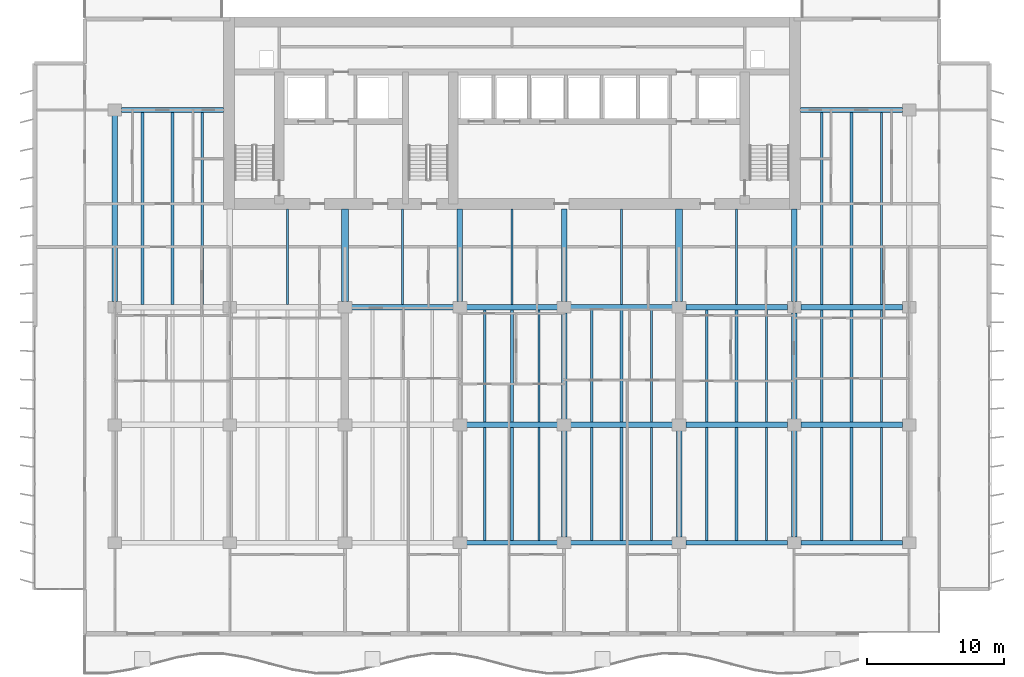
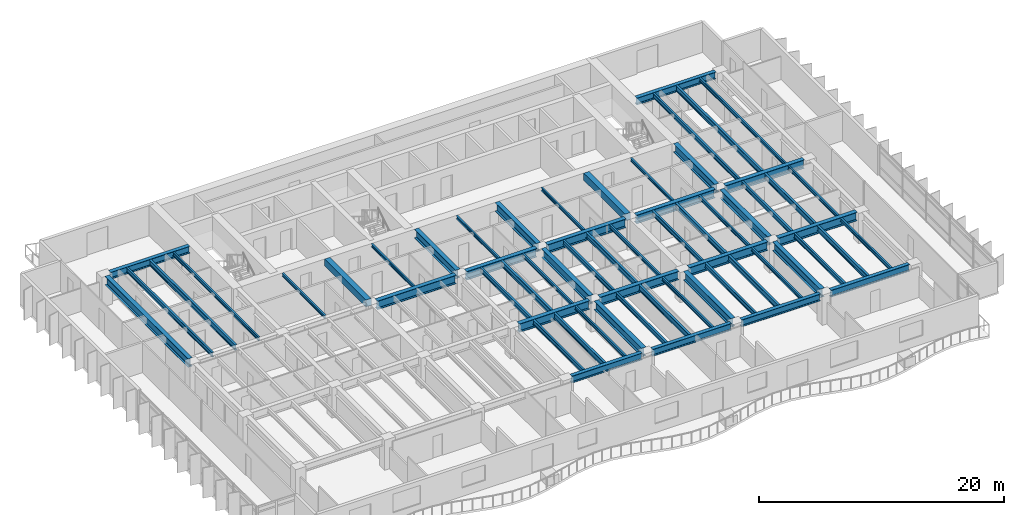
# One storey, part 3 of 19: 61 beams.
"""IFC4 building model written with IfcOpenShell, lengths in metres."""

from ifc_helpers import new_model, si_unit, direction, frame, origin, origin_2d, place, context, subcontext, project, spatial, rectangle, i_section, extrude, material, material_profile, profile_set, type_object, element, save


model = new_model("IFC4")

# Units and contexts
model_context = context("Model", 3, precision=1e-05, world=origin(), true_north=direction((0.0, 1.0)))
body_context = subcontext(model_context, "Body", "Model", "MODEL_VIEW")
ifc_project = project(units=[si_unit("LENGTHUNIT", "METRE"), si_unit("AREAUNIT", "SQUARE_METRE"), si_unit("VOLUMEUNIT", "CUBIC_METRE"), si_unit("PLANEANGLEUNIT", "RADIAN"), si_unit("MASSUNIT", "GRAM", prefix="KILO")], contexts=[model_context])

# Site, building, storey
site_placement = place(None, origin())
site = spatial("IfcSite", under=ifc_project, at=site_placement, CompositionType="ELEMENT")
building_placement = place(site_placement, origin())
building = spatial("IfcBuilding", under=site, at=building_placement, Name="Caelmar Bay Residences", CompositionType="ELEMENT")
storey_placement = place(building_placement, frame((0.0, 0.0, 94.5)))
storey = spatial("IfcBuildingStorey", under=building, at=storey_placement, Name="L25", CompositionType="ELEMENT", Elevation=94.5)

# Beams
ifc_material_1 = material(Name="Steel ASTM A992 Grade 50", Category="steel")
ifc_material_profile_1 = material_profile(ifc_material_1, i_section(OverallWidth=0.40087890625, OverallDepth=0.861083984375, WebThickness=0.019775390625, FlangeThickness=0.032470703125, FilletRadius=0.017822265625, at=origin_2d()), Name="W33X221")
ifc_profile_set_1 = profile_set([ifc_material_profile_1], Name="Steel ASTM A992 Grade 50")
beam_type_1 = type_object("IfcBeamType", Name="BM-GRD-W33X221", PredefinedType="BEAM", material=ifc_profile_set_1)
beam_1_placement = place(storey_placement, frame((35.590087890625, 20.800048828125, 2.569580078125), z_axis=(1.0, 0.0, 0.0), x_axis=(0.0, 1.0, 0.0)))
element("IfcBeam", 1, at=beam_1_placement, inside=storey, type_object=beam_type_1, Name="L25 East-West Girder Y=20.80 (35.1-42.7)", PredefinedType="BEAM", context=body_context, shape_type="SweptSolid", body=[
    extrude(i_section(OverallWidth=0.40087890625, OverallDepth=0.861083984375, WebThickness=0.019775390625, FlangeThickness=0.032470703125, FilletRadius=0.017822265625, at=origin_2d()), origin(), (0.0, 0.0, 1.0), 6.619873046875),
])
beam_2_placement = place(storey_placement, frame((43.18994140625, 20.800048828125, 2.569580078125), z_axis=(1.0, 0.0, 0.0), x_axis=(0.0, 1.0, 0.0)))
element("IfcBeam", 2, at=beam_2_placement, inside=storey, type_object=beam_type_1, Name="L25 East-West Girder Y=20.80 (42.7-51.1)", PredefinedType="BEAM", context=body_context, shape_type="SweptSolid", body=[
    extrude(i_section(OverallWidth=0.40087890625, OverallDepth=0.861083984375, WebThickness=0.019775390625, FlangeThickness=0.032470703125, FilletRadius=0.017822265625, at=origin_2d()), origin(), (0.0, 0.0, 1.0), 7.420166015625),
])
for number, where, z_axis, x_axis, name in (
    (3, (51.590087890625, 20.800048828125, 2.569580078125), (1.0, 0.0, 0.0), (0.0, 1.0, 0.0), "L25 East-West Girder Y=20.80 (51.1-59.5)"),
    (4, (59.989990234375, 20.800048828125, 2.569580078125), (1.0, 0.0, 0.0), (0.0, 1.0, 0.0), "L25 East-West Girder Y=20.80 (59.5-67.9)"),
):
    element("IfcBeam", number, at=place(storey_placement, frame(where, z_axis=z_axis, x_axis=x_axis)), inside=storey, type_object=beam_type_1, Name=name, PredefinedType="BEAM", context=body_context, shape_type="SweptSolid", body=[
        extrude(i_section(OverallWidth=0.40087890625, OverallDepth=0.861083984375, WebThickness=0.019775390625, FlangeThickness=0.032470703125, FilletRadius=0.017822265625, at=origin_2d()), origin(), (0.0, 0.0, 1.0), 7.419921875),
    ])
beam_3_placement = place(storey_placement, frame((27.18994140625, 29.39990234375, 2.569580078125), z_axis=(1.0, 0.0, 0.0), x_axis=(0.0, 1.0, 0.0)))
element("IfcBeam", 5, at=beam_3_placement, inside=storey, type_object=beam_type_1, Name="L25 East-West Girder Y=29.40 (26.7-35.1)", PredefinedType="BEAM", context=body_context, shape_type="SweptSolid", body=[
    extrude(i_section(OverallWidth=0.40087890625, OverallDepth=0.861083984375, WebThickness=0.019775390625, FlangeThickness=0.032470703125, FilletRadius=0.017822265625, at=origin_2d()), origin(), (0.0, 0.0, 1.0), 7.420166015625),
])
beam_4_placement = place(storey_placement, frame((35.590087890625, 29.39990234375, 2.569580078125), z_axis=(1.0, 0.0, 0.0), x_axis=(0.0, 1.0, 0.0)))
element("IfcBeam", 6, at=beam_4_placement, inside=storey, type_object=beam_type_1, Name="L25 East-West Girder Y=29.40 (35.1-42.7)", PredefinedType="BEAM", context=body_context, shape_type="SweptSolid", body=[
    extrude(i_section(OverallWidth=0.40087890625, OverallDepth=0.861083984375, WebThickness=0.019775390625, FlangeThickness=0.032470703125, FilletRadius=0.017822265625, at=origin_2d()), origin(), (0.0, 0.0, 1.0), 6.619873046875),
])
beam_5_placement = place(storey_placement, frame((43.18994140625, 29.39990234375, 2.569580078125), z_axis=(1.0, 0.0, 0.0), x_axis=(0.0, 1.0, 0.0)))
element("IfcBeam", 7, at=beam_5_placement, inside=storey, type_object=beam_type_1, Name="L25 East-West Girder Y=29.40 (42.7-51.1)", PredefinedType="BEAM", context=body_context, shape_type="SweptSolid", body=[
    extrude(i_section(OverallWidth=0.40087890625, OverallDepth=0.861083984375, WebThickness=0.019775390625, FlangeThickness=0.032470703125, FilletRadius=0.017822265625, at=origin_2d()), origin(), (0.0, 0.0, 1.0), 7.420166015625),
])
for number, where, z_axis, x_axis, name in (
    (8, (51.590087890625, 29.39990234375, 2.569580078125), (1.0, 0.0, 0.0), (0.0, 1.0, 0.0), "L25 East-West Girder Y=29.40 (51.1-59.5)"),
    (9, (59.989990234375, 29.39990234375, 2.569580078125), (1.0, 0.0, 0.0), (0.0, 1.0, 0.0), "L25 East-West Girder Y=29.40 (59.5-67.9)"),
):
    element("IfcBeam", number, at=place(storey_placement, frame(where, z_axis=z_axis, x_axis=x_axis)), inside=storey, type_object=beam_type_1, Name=name, PredefinedType="BEAM", context=body_context, shape_type="SweptSolid", body=[
        extrude(i_section(OverallWidth=0.40087890625, OverallDepth=0.861083984375, WebThickness=0.019775390625, FlangeThickness=0.032470703125, FilletRadius=0.017822265625, at=origin_2d()), origin(), (0.0, 0.0, 1.0), 7.419921875),
    ])
beam_6_placement = place(storey_placement, frame((9.89990234375, 29.81494140625, 2.569580078125), z_axis=(0.0, 1.0, 0.0), x_axis=(-1.0, 0.0, 0.0)))
element("IfcBeam", 10, at=beam_6_placement, inside=storey, type_object=beam_type_1, Name="L25 North-South Girder X=9.90 (29.4-43.8)", PredefinedType="BEAM", context=body_context, shape_type="SweptSolid", body=[
    extrude(i_section(OverallWidth=0.40087890625, OverallDepth=0.861083984375, WebThickness=0.019775390625, FlangeThickness=0.032470703125, FilletRadius=0.017822265625, at=origin_2d()), origin(), (0.0, 0.0, 1.0), 13.570068359375),
])
for number, where, z_axis, x_axis, name in (
    (11, (35.10009765625, 29.81494140625, 2.569580078125), (0.0, 1.0, 0.0), (-1.0, 0.0, 0.0), "L25 Core Tie Girder X=35.10"),
    (12, (42.699951171875, 29.81494140625, 2.569580078125), (0.0, 1.0, 0.0), (-1.0, 0.0, 0.0), "L25 Core Tie Girder X=42.70"),
):
    element("IfcBeam", number, at=place(storey_placement, frame(where, z_axis=z_axis, x_axis=x_axis)), inside=storey, type_object=beam_type_1, Name=name, PredefinedType="BEAM", context=body_context, shape_type="SweptSolid", body=[
        extrude(i_section(OverallWidth=0.40087890625, OverallDepth=0.861083984375, WebThickness=0.019775390625, FlangeThickness=0.032470703125, FilletRadius=0.017822265625, at=origin_2d()), origin(), (0.0, 0.0, 1.0), 6.735107421875),
    ])
for number, where, z_axis, x_axis, name in (
    (13, (42.699951171875, 12.614990234375, 2.569580078125), (0.0, 1.0, 0.0), (-1.0, 0.0, 0.0), "L25 North-South Girder X=42.70 (12.2-20.8)"),
    (14, (42.699951171875, 21.215087890625, 2.569580078125), (0.0, 1.0, 0.0), (-1.0, 0.0, 0.0), "L25 North-South Girder X=42.70 (20.8-29.4)"),
    (15, (51.10009765625, 12.614990234375, 2.569580078125), (0.0, 1.0, 0.0), (-1.0, 0.0, 0.0), "L25 North-South Girder X=51.10 (12.2-20.8)"),
):
    element("IfcBeam", number, at=place(storey_placement, frame(where, z_axis=z_axis, x_axis=x_axis)), inside=storey, type_object=beam_type_1, Name=name, PredefinedType="BEAM", context=body_context, shape_type="SweptSolid", body=[
        extrude(i_section(OverallWidth=0.40087890625, OverallDepth=0.861083984375, WebThickness=0.019775390625, FlangeThickness=0.032470703125, FilletRadius=0.017822265625, at=origin_2d()), origin(), (0.0, 0.0, 1.0), 7.77001953125),
    ])
beam_7_placement = place(storey_placement, frame((59.5, 29.81494140625, 2.569580078125), z_axis=(0.0, 1.0, 0.0), x_axis=(-1.0, 0.0, 0.0)))
element("IfcBeam", 16, at=beam_7_placement, inside=storey, type_object=beam_type_1, Name="L25 Core Tie Girder X=59.50", PredefinedType="BEAM", context=body_context, shape_type="SweptSolid", body=[
    extrude(i_section(OverallWidth=0.40087890625, OverallDepth=0.861083984375, WebThickness=0.019775390625, FlangeThickness=0.032470703125, FilletRadius=0.017822265625, at=origin_2d()), origin(), (0.0, 0.0, 1.0), 6.735107421875),
])
for number, where, z_axis, x_axis, name in (
    (17, (59.5, 12.614990234375, 2.569580078125), (0.0, 1.0, 0.0), (-1.0, 0.0, 0.0), "L25 North-South Girder X=59.50 (12.2-20.8)"),
    (18, (59.5, 21.215087890625, 2.569580078125), (0.0, 1.0, 0.0), (-1.0, 0.0, 0.0), "L25 North-South Girder X=59.50 (20.8-29.4)"),
):
    element("IfcBeam", number, at=place(storey_placement, frame(where, z_axis=z_axis, x_axis=x_axis)), inside=storey, type_object=beam_type_1, Name=name, PredefinedType="BEAM", context=body_context, shape_type="SweptSolid", body=[
        extrude(i_section(OverallWidth=0.40087890625, OverallDepth=0.861083984375, WebThickness=0.019775390625, FlangeThickness=0.032470703125, FilletRadius=0.017822265625, at=origin_2d()), origin(), (0.0, 0.0, 1.0), 7.77001953125),
    ])
ifc_material_profile_2 = material_profile(ifc_material_1, i_section(OverallWidth=0.1650390625, OverallDepth=0.31005859375, WebThickness=0.005859375, FlangeThickness=0.009765625, FilletRadius=0.007568359375, at=origin_2d()), Name="W12X26")
ifc_profile_set_2 = profile_set([ifc_material_profile_2], Name="Steel ASTM A992 Grade 50")
beam_type_2 = type_object("IfcBeamType", Name="BM-JST-W12X26", PredefinedType="JOIST", material=ifc_profile_set_2)
for number, where, z_axis, x_axis, name in (
    (19, (22.5, 29.6005859375, 2.844970703125), (0.0, 1.0, 0.0), (-1.0, 0.0, 0.0), "L25 Core-Band Composite Joist 43"),
    (20, (30.89990234375, 29.6005859375, 2.844970703125), (0.0, 1.0, 0.0), (-1.0, 0.0, 0.0), "L25 Core-Band Composite Joist 44"),
    (21, (38.89990234375, 29.6005859375, 2.844970703125), (0.0, 1.0, 0.0), (-1.0, 0.0, 0.0), "L25 Core-Band Composite Joist 45"),
    (22, (46.89990234375, 29.6005859375, 2.844970703125), (0.0, 1.0, 0.0), (-1.0, 0.0, 0.0), "L25 Core-Band Composite Joist 46"),
    (23, (55.300048828125, 29.6005859375, 2.844970703125), (0.0, 1.0, 0.0), (-1.0, 0.0, 0.0), "L25 Core-Band Composite Joist 47"),
):
    element("IfcBeam", number, at=place(storey_placement, frame(where, z_axis=z_axis, x_axis=x_axis)), inside=storey, type_object=beam_type_2, Name=name, PredefinedType="JOIST", context=body_context, shape_type="SweptSolid", body=[
        extrude(i_section(OverallWidth=0.1650390625, OverallDepth=0.31005859375, WebThickness=0.005859375, FlangeThickness=0.009765625, FilletRadius=0.007568359375, at=origin_2d()), origin(), (0.0, 0.0, 1.0), 6.949462890625),
    ])
ifc_material_profile_3 = material_profile(ifc_material_1, i_section(OverallWidth=0.1708984375, OverallDepth=0.35595703125, WebThickness=0.007080078125, FlangeThickness=0.01171875, FilletRadius=0.007568359375, at=origin_2d()), Name="W14X34")
ifc_profile_set_3 = profile_set([ifc_material_profile_3], Name="Steel ASTM A992 Grade 50")
beam_type_3 = type_object("IfcBeamType", Name="BM-JST-W14X34", PredefinedType="JOIST", material=ifc_profile_set_3)
for number, where, z_axis, x_axis, name in (
    (24, (40.8759765625, 12.3779296875, 2.822021484375), (0.0, 1.0, 0.0), (-1.0, 0.0, 0.0), "L25 Composite Floor Joist 12"),
    (25, (49.083984375, 12.3779296875, 2.822021484375), (0.0, 1.0, 0.0), (-1.0, 0.0, 0.0), "L25 Composite Floor Joist 15"),
    (26, (57.48388671875, 12.3779296875, 2.822021484375), (0.0, 1.0, 0.0), (-1.0, 0.0, 0.0), "L25 Composite Floor Joist 18"),
    (27, (65.884033203125, 12.3779296875, 2.822021484375), (0.0, 1.0, 0.0), (-1.0, 0.0, 0.0), "L25 Composite Floor Joist 21"),
):
    element("IfcBeam", number, at=place(storey_placement, frame(where, z_axis=z_axis, x_axis=x_axis)), inside=storey, type_object=beam_type_3, Name=name, PredefinedType="JOIST", context=body_context, shape_type="SweptSolid", body=[
        extrude(i_section(OverallWidth=0.1708984375, OverallDepth=0.35595703125, WebThickness=0.007080078125, FlangeThickness=0.01171875, FilletRadius=0.007568359375, at=origin_2d()), origin(), (0.0, 0.0, 1.0), 8.2216796875),
    ])
for number, where, z_axis, x_axis, name in (
    (28, (40.8759765625, 21.00048828125, 2.822021484375), (0.0, 1.0, 0.0), (-1.0, 0.0, 0.0), "L25 Composite Floor Joist 33"),
    (29, (49.083984375, 21.00048828125, 2.822021484375), (0.0, 1.0, 0.0), (-1.0, 0.0, 0.0), "L25 Composite Floor Joist 36"),
    (30, (57.48388671875, 21.00048828125, 2.822021484375), (0.0, 1.0, 0.0), (-1.0, 0.0, 0.0), "L25 Composite Floor Joist 39"),
    (31, (65.884033203125, 21.00048828125, 2.822021484375), (0.0, 1.0, 0.0), (-1.0, 0.0, 0.0), "L25 Composite Floor Joist 42"),
):
    element("IfcBeam", number, at=place(storey_placement, frame(where, z_axis=z_axis, x_axis=x_axis)), inside=storey, type_object=beam_type_3, Name=name, PredefinedType="JOIST", context=body_context, shape_type="SweptSolid", body=[
        extrude(i_section(OverallWidth=0.1708984375, OverallDepth=0.35595703125, WebThickness=0.007080078125, FlangeThickness=0.01171875, FilletRadius=0.007568359375, at=origin_2d()), origin(), (0.0, 0.0, 1.0), 8.198974609375),
    ])
for number, where, z_axis, x_axis, name in (
    (32, (16.283935546875, 29.6005859375, 2.822021484375), (0.0, 1.0, 0.0), (-1.0, 0.0, 0.0), "L25 Composite Floor Joist 50"),
    (33, (65.884033203125, 29.6005859375, 2.822021484375), (0.0, 1.0, 0.0), (-1.0, 0.0, 0.0), "L25 Composite Floor Joist 53"),
):
    element("IfcBeam", number, at=place(storey_placement, frame(where, z_axis=z_axis, x_axis=x_axis)), inside=storey, type_object=beam_type_3, Name=name, PredefinedType="JOIST", context=body_context, shape_type="SweptSolid", body=[
        extrude(i_section(OverallWidth=0.1708984375, OverallDepth=0.35595703125, WebThickness=0.007080078125, FlangeThickness=0.01171875, FilletRadius=0.007568359375, at=origin_2d()), origin(), (0.0, 0.0, 1.0), 14.021484375),
    ])
ifc_material_profile_4 = material_profile(ifc_material_1, i_section(OverallWidth=0.19091796875, OverallDepth=0.45703125, WebThickness=0.009033203125, FlangeThickness=0.014404296875, FilletRadius=0.01025390625, at=origin_2d()), Name="W18X50")
ifc_profile_set_4 = profile_set([ifc_material_profile_4], Name="Steel ASTM A992 Grade 50")
beam_type_4 = type_object("IfcBeamType", Name="BM-JST-W18X50", PredefinedType="JOIST", material=ifc_profile_set_4)
for number, where, z_axis, x_axis, name in (
    (34, (36.924072265625, 12.3779296875, 2.771484375), (0.0, 1.0, 0.0), (-1.0, 0.0, 0.0), "L25 Composite Floor Joist 10"),
    (35, (44.716064453125, 12.3779296875, 2.771484375), (0.0, 1.0, 0.0), (-1.0, 0.0, 0.0), "L25 Composite Floor Joist 13"),
    (36, (53.115966796875, 12.3779296875, 2.771484375), (0.0, 1.0, 0.0), (-1.0, 0.0, 0.0), "L25 Composite Floor Joist 16"),
    (37, (61.51611328125, 12.3779296875, 2.771484375), (0.0, 1.0, 0.0), (-1.0, 0.0, 0.0), "L25 Composite Floor Joist 19"),
):
    element("IfcBeam", number, at=place(storey_placement, frame(where, z_axis=z_axis, x_axis=x_axis)), inside=storey, type_object=beam_type_4, Name=name, PredefinedType="JOIST", context=body_context, shape_type="SweptSolid", body=[
        extrude(i_section(OverallWidth=0.19091796875, OverallDepth=0.45703125, WebThickness=0.009033203125, FlangeThickness=0.014404296875, FilletRadius=0.01025390625, at=origin_2d()), origin(), (0.0, 0.0, 1.0), 8.2216796875),
    ])
for number, where, z_axis, x_axis, name in (
    (38, (36.924072265625, 21.00048828125, 2.771484375), (0.0, 1.0, 0.0), (-1.0, 0.0, 0.0), "L25 Composite Floor Joist 31"),
    (39, (44.716064453125, 21.00048828125, 2.771484375), (0.0, 1.0, 0.0), (-1.0, 0.0, 0.0), "L25 Composite Floor Joist 34"),
    (40, (53.115966796875, 21.00048828125, 2.771484375), (0.0, 1.0, 0.0), (-1.0, 0.0, 0.0), "L25 Composite Floor Joist 37"),
    (41, (61.51611328125, 21.00048828125, 2.771484375), (0.0, 1.0, 0.0), (-1.0, 0.0, 0.0), "L25 Composite Floor Joist 40"),
):
    element("IfcBeam", number, at=place(storey_placement, frame(where, z_axis=z_axis, x_axis=x_axis)), inside=storey, type_object=beam_type_4, Name=name, PredefinedType="JOIST", context=body_context, shape_type="SweptSolid", body=[
        extrude(i_section(OverallWidth=0.19091796875, OverallDepth=0.45703125, WebThickness=0.009033203125, FlangeThickness=0.014404296875, FilletRadius=0.01025390625, at=origin_2d()), origin(), (0.0, 0.0, 1.0), 8.198974609375),
    ])
for number, where, z_axis, x_axis, name in (
    (42, (11.916015625, 29.6005859375, 2.771484375), (0.0, 1.0, 0.0), (-1.0, 0.0, 0.0), "L25 Composite Floor Joist 48"),
    (43, (61.51611328125, 29.6005859375, 2.771484375), (0.0, 1.0, 0.0), (-1.0, 0.0, 0.0), "L25 Composite Floor Joist 51"),
):
    element("IfcBeam", number, at=place(storey_placement, frame(where, z_axis=z_axis, x_axis=x_axis)), inside=storey, type_object=beam_type_4, Name=name, PredefinedType="JOIST", context=body_context, shape_type="SweptSolid", body=[
        extrude(i_section(OverallWidth=0.19091796875, OverallDepth=0.45703125, WebThickness=0.009033203125, FlangeThickness=0.014404296875, FilletRadius=0.01025390625, at=origin_2d()), origin(), (0.0, 0.0, 1.0), 14.021484375),
    ])
ifc_material_profile_5 = material_profile(ifc_material_1, i_section(OverallWidth=0.214111328125, OverallDepth=0.549072265625, WebThickness=0.0146484375, FlangeThickness=0.023681640625, FilletRadius=0.0126953125, at=origin_2d()), Name="W21X93")
ifc_profile_set_5 = profile_set([ifc_material_profile_5], Name="Steel ASTM A992 Grade 50")
beam_type_5 = type_object("IfcBeamType", Name="BM-JST-W21X93", PredefinedType="JOIST", material=ifc_profile_set_5)
for number, where, z_axis, x_axis, name in (
    (44, (38.89990234375, 12.3779296875, 2.7255859375), (0.0, 1.0, 0.0), (-1.0, 0.0, 0.0), "L25 Composite Floor Joist 11"),
    (45, (46.89990234375, 12.3779296875, 2.7255859375), (0.0, 1.0, 0.0), (-1.0, 0.0, 0.0), "L25 Composite Floor Joist 14"),
    (46, (55.300048828125, 12.3779296875, 2.7255859375), (0.0, 1.0, 0.0), (-1.0, 0.0, 0.0), "L25 Composite Floor Joist 17"),
    (47, (63.699951171875, 12.3779296875, 2.7255859375), (0.0, 1.0, 0.0), (-1.0, 0.0, 0.0), "L25 Composite Floor Joist 20"),
):
    element("IfcBeam", number, at=place(storey_placement, frame(where, z_axis=z_axis, x_axis=x_axis)), inside=storey, type_object=beam_type_5, Name=name, PredefinedType="JOIST", context=body_context, shape_type="SweptSolid", body=[
        extrude(i_section(OverallWidth=0.214111328125, OverallDepth=0.549072265625, WebThickness=0.0146484375, FlangeThickness=0.023681640625, FilletRadius=0.0126953125, at=origin_2d()), origin(), (0.0, 0.0, 1.0), 8.2216796875),
    ])
for number, where, z_axis, x_axis, name in (
    (48, (38.89990234375, 21.00048828125, 2.7255859375), (0.0, 1.0, 0.0), (-1.0, 0.0, 0.0), "L25 Composite Floor Joist 32"),
    (49, (46.89990234375, 21.00048828125, 2.7255859375), (0.0, 1.0, 0.0), (-1.0, 0.0, 0.0), "L25 Composite Floor Joist 35"),
    (50, (55.300048828125, 21.00048828125, 2.7255859375), (0.0, 1.0, 0.0), (-1.0, 0.0, 0.0), "L25 Composite Floor Joist 38"),
    (51, (63.699951171875, 21.00048828125, 2.7255859375), (0.0, 1.0, 0.0), (-1.0, 0.0, 0.0), "L25 Composite Floor Joist 41"),
):
    element("IfcBeam", number, at=place(storey_placement, frame(where, z_axis=z_axis, x_axis=x_axis)), inside=storey, type_object=beam_type_5, Name=name, PredefinedType="JOIST", context=body_context, shape_type="SweptSolid", body=[
        extrude(i_section(OverallWidth=0.214111328125, OverallDepth=0.549072265625, WebThickness=0.0146484375, FlangeThickness=0.023681640625, FilletRadius=0.0126953125, at=origin_2d()), origin(), (0.0, 0.0, 1.0), 8.198974609375),
    ])
for number, where, z_axis, x_axis, name in (
    (52, (14.10009765625, 29.6005859375, 2.7255859375), (0.0, 1.0, 0.0), (-1.0, 0.0, 0.0), "L25 Composite Floor Joist 49"),
    (53, (63.699951171875, 29.6005859375, 2.7255859375), (0.0, 1.0, 0.0), (-1.0, 0.0, 0.0), "L25 Composite Floor Joist 52"),
):
    element("IfcBeam", number, at=place(storey_placement, frame(where, z_axis=z_axis, x_axis=x_axis)), inside=storey, type_object=beam_type_5, Name=name, PredefinedType="JOIST", context=body_context, shape_type="SweptSolid", body=[
        extrude(i_section(OverallWidth=0.214111328125, OverallDepth=0.549072265625, WebThickness=0.0146484375, FlangeThickness=0.023681640625, FilletRadius=0.0126953125, at=origin_2d()), origin(), (0.0, 0.0, 1.0), 14.021484375),
    ])
ifc_material_2 = material(Name="Concrete f'c 55 MPa (8,000 psi)", Category="concrete")
ifc_material_profile_6 = material_profile(ifc_material_2, rectangle(XDim=0.5, YDim=0.699951171875, at=origin_2d()), Name="RC-BM-500X700")
ifc_profile_set_6 = profile_set([ifc_material_profile_6], Name="Concrete f'c 55 MPa (8,000 psi)")
beam_type_6 = type_object("IfcBeamType", Name="BM-RC-500X700", PredefinedType="LINTEL", material=ifc_profile_set_6)
for number, where, z_axis, x_axis, name in (
    (54, (26.699951171875, 29.81494140625, 2.64990234375), (0.0, 1.0, 0.0), (-1.0, 0.0, 0.0), "L25 Shear-Wall Corridor Coupling Lintel W5"),
    (55, (51.10009765625, 29.81494140625, 2.64990234375), (0.0, 1.0, 0.0), (-1.0, 0.0, 0.0), "L25 Shear-Wall Corridor Coupling Lintel E8"),
):
    element("IfcBeam", number, at=place(storey_placement, frame(where, z_axis=z_axis, x_axis=x_axis)), inside=storey, type_object=beam_type_6, Name=name, PredefinedType="LINTEL", context=body_context, shape_type="SweptSolid", body=[
        extrude(rectangle(XDim=0.5, YDim=0.699951171875, at=origin_2d()), origin(), (0.0, 0.0, 1.0), 6.735107421875),
    ])
ifc_material_profile_7 = material_profile(ifc_material_1, i_section(OverallWidth=0.35595703125, OverallDepth=0.696044921875, WebThickness=0.015380859375, FlangeThickness=0.02490234375, FilletRadius=0.01513671875, at=origin_2d()), Name="W27X146")
ifc_profile_set_7 = profile_set([ifc_material_profile_7], Name="Steel ASTM A992 Grade 50")
beam_type_7 = type_object("IfcBeamType", Name="BM-SPN-W27X146", PredefinedType="SPANDREL", material=ifc_profile_set_7)
beam_8_placement = place(storey_placement, frame((35.590087890625, 12.199951171875, 2.652099609375), z_axis=(1.0, 0.0, 0.0), x_axis=(0.0, 1.0, 0.0)))
element("IfcBeam", 56, at=beam_8_placement, inside=storey, type_object=beam_type_7, Name="L25 East-West Girder Y=12.20 (35.1-42.7)", PredefinedType="SPANDREL", context=body_context, shape_type="SweptSolid", body=[
    extrude(i_section(OverallWidth=0.35595703125, OverallDepth=0.696044921875, WebThickness=0.015380859375, FlangeThickness=0.02490234375, FilletRadius=0.01513671875, at=origin_2d()), origin(), (0.0, 0.0, 1.0), 6.619873046875),
])
beam_9_placement = place(storey_placement, frame((43.18994140625, 12.199951171875, 2.652099609375), z_axis=(1.0, 0.0, 0.0), x_axis=(0.0, 1.0, 0.0)))
element("IfcBeam", 57, at=beam_9_placement, inside=storey, type_object=beam_type_7, Name="L25 East-West Girder Y=12.20 (42.7-51.1)", PredefinedType="SPANDREL", context=body_context, shape_type="SweptSolid", body=[
    extrude(i_section(OverallWidth=0.35595703125, OverallDepth=0.696044921875, WebThickness=0.015380859375, FlangeThickness=0.02490234375, FilletRadius=0.01513671875, at=origin_2d()), origin(), (0.0, 0.0, 1.0), 7.420166015625),
])
for number, where, z_axis, x_axis, name in (
    (58, (51.590087890625, 12.199951171875, 2.652099609375), (1.0, 0.0, 0.0), (0.0, 1.0, 0.0), "L25 East-West Girder Y=12.20 (51.1-59.5)"),
    (59, (59.989990234375, 12.199951171875, 2.652099609375), (1.0, 0.0, 0.0), (0.0, 1.0, 0.0), "L25 East-West Girder Y=12.20 (59.5-67.9)"),
):
    element("IfcBeam", number, at=place(storey_placement, frame(where, z_axis=z_axis, x_axis=x_axis)), inside=storey, type_object=beam_type_7, Name=name, PredefinedType="SPANDREL", context=body_context, shape_type="SweptSolid", body=[
        extrude(i_section(OverallWidth=0.35595703125, OverallDepth=0.696044921875, WebThickness=0.015380859375, FlangeThickness=0.02490234375, FilletRadius=0.01513671875, at=origin_2d()), origin(), (0.0, 0.0, 1.0), 7.419921875),
    ])
beam_10_placement = place(storey_placement, frame((10.389892578125, 43.800048828125, 2.652099609375), z_axis=(1.0, 0.0, 0.0), x_axis=(0.0, 1.0, 0.0)))
element("IfcBeam", 60, at=beam_10_placement, inside=storey, type_object=beam_type_7, Name="L25 North-West Wing Core Tie Girder", PredefinedType="SPANDREL", context=body_context, shape_type="SweptSolid", body=[
    extrude(i_section(OverallWidth=0.35595703125, OverallDepth=0.696044921875, WebThickness=0.015380859375, FlangeThickness=0.02490234375, FilletRadius=0.01513671875, at=origin_2d()), origin(), (0.0, 0.0, 1.0), 7.460205078125),
])
beam_11_placement = place(storey_placement, frame((59.949951171875, 43.800048828125, 2.652099609375), z_axis=(1.0, 0.0, 0.0), x_axis=(0.0, 1.0, 0.0)))
element("IfcBeam", 61, at=beam_11_placement, inside=storey, type_object=beam_type_7, Name="L25 North-East Wing Core Tie Girder", PredefinedType="SPANDREL", context=body_context, shape_type="SweptSolid", body=[
    extrude(i_section(OverallWidth=0.35595703125, OverallDepth=0.696044921875, WebThickness=0.015380859375, FlangeThickness=0.02490234375, FilletRadius=0.01513671875, at=origin_2d()), origin(), (0.0, 0.0, 1.0), 7.4599609375),
])

save(model, "model.ifc")
